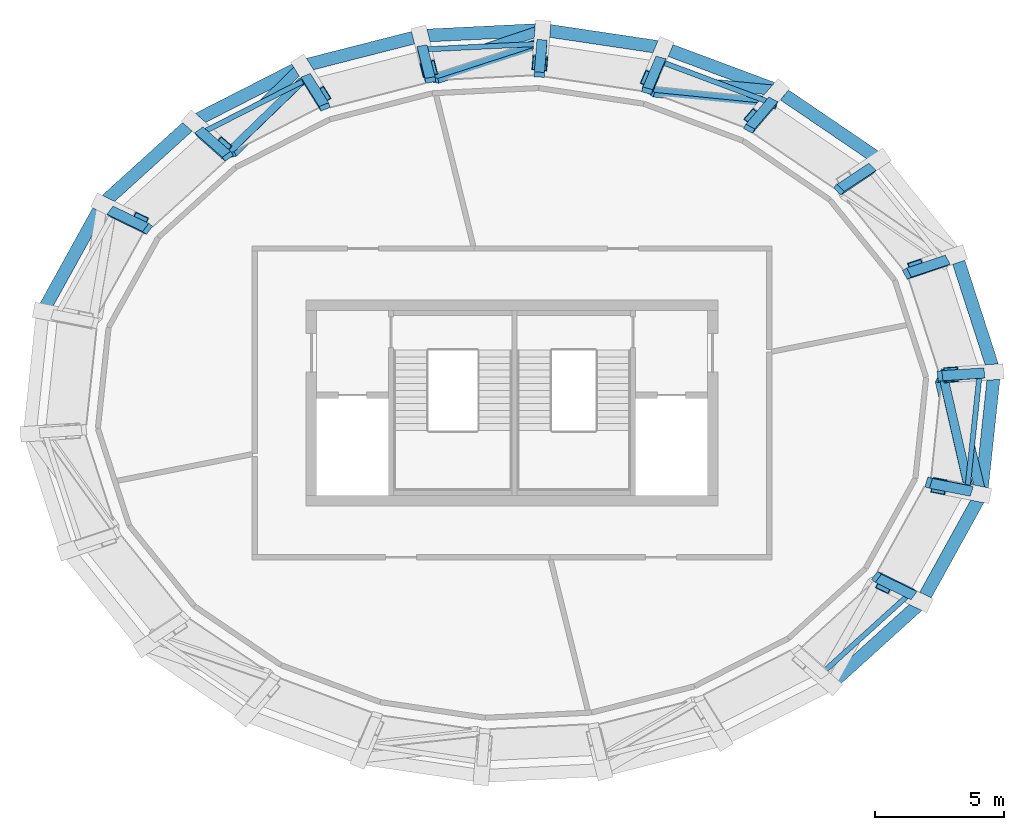
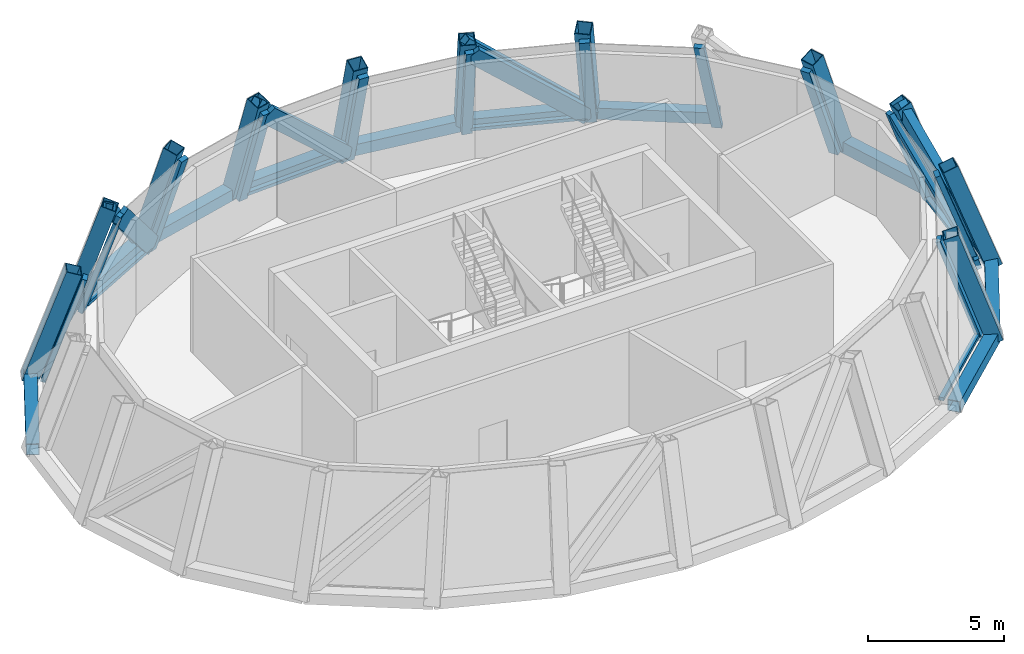
# One storey, part 2 of 6: 36 members, 12 beams, 1 element without a shape of its own.
"""IFC4 building model written with IfcOpenShell, lengths in metres."""

from ifc_helpers import new_model, si_unit, direction, frame, origin, origin_2d, place, context, subcontext, project, spatial, rectangle, hollow_rectangle, extrude, source, transform, mapped, material, material_profile, profile_set, type_object, element, aggregate, save


model = new_model("IFC4")

# Units and contexts
model_context = context("Model", 3, precision=1e-05, world=origin(), true_north=direction((0.0, 1.0)))
body_context = subcontext(model_context, "Body", "Model", "MODEL_VIEW")
ifc_project = project(units=[si_unit("LENGTHUNIT", "METRE"), si_unit("AREAUNIT", "SQUARE_METRE"), si_unit("VOLUMEUNIT", "CUBIC_METRE"), si_unit("PLANEANGLEUNIT", "RADIAN"), si_unit("MASSUNIT", "GRAM", prefix="KILO")], contexts=[model_context])

# Site, building, storey
site_placement = place(None, origin())
site = spatial("IfcSite", under=ifc_project, at=site_placement, CompositionType="ELEMENT")
building_placement = place(site_placement, origin())
building = spatial("IfcBuilding", under=site, at=building_placement, Name="Embergate Tower", CompositionType="ELEMENT")
storey_placement = place(building_placement, frame((0.0, 0.0, 356.5)))
storey = spatial("IfcBuildingStorey", under=building, at=storey_placement, Name="L81", CompositionType="ELEMENT", Elevation=356.5)

# Beams
ifc_material_1 = material(Name="Steel Q355D", Category="steel")
ifc_material_profile_1 = material_profile(ifc_material_1, hollow_rectangle(XDim=0.5, YDim=0.5, WallThickness=0.02490234375, at=origin_2d()), Name="BOX 500x500x25")
ifc_profile_set_1 = profile_set([ifc_material_profile_1], Name="Steel Q355 grade D")
beam_type = type_object("IfcBeamType", Name="Glass point ring beam BOX 500x500x25", PredefinedType="BEAM", material=ifc_profile_set_1)
shared_shape_1 = source(origin(), body_context, "Body", "SweptSolid", [
    extrude(hollow_rectangle(XDim=0.5, YDim=0.5, WallThickness=0.02490234375, at=origin_2d()), origin(), (0.0, 0.0, 1.0), 4.781982421875),
])
beam_1_placement = place(storey_placement, frame((18.75, 1.202880859375, 0.0), z_axis=(-0.307606861836, 0.951513540919, 0.0), x_axis=(-0.951513540919, -0.307606861836, 0.0)))
element("IfcBeam", 1, at=beam_1_placement, inside=storey, type_object=beam_type, Name="CRN-L81-RB00", PredefinedType="BEAM", context=body_context, shape_type="MappedRepresentation", body=[
    mapped(shared_shape_1, transform((0.0, 0.0, 0.0))),
])
shared_shape_2 = source(origin(), body_context, "Body", "SweptSolid", [
    extrude(hollow_rectangle(XDim=0.5, YDim=0.5, WallThickness=0.02490234375, at=origin_2d()), origin(), (0.0, 0.0, 1.0), 4.76171875),
])
beam_2_placement = place(storey_placement, frame((14.281005859375, 9.467041015625, 0.0), z_axis=(-0.827007551641, 0.562190812383, 0.0), x_axis=(-0.562190812383, -0.827007551641, 0.0)))
element("IfcBeam", 2, at=beam_2_placement, inside=storey, type_object=beam_type, Name="CRN-L81-RB02", PredefinedType="BEAM", context=body_context, shape_type="MappedRepresentation", body=[
    mapped(shared_shape_2, transform((0.0, 0.0, 0.0))),
])
shared_shape_3 = source(origin(), body_context, "Body", "SweptSolid", [
    extrude(hollow_rectangle(XDim=0.5, YDim=0.5, WallThickness=0.02490234375, at=origin_2d()), origin(), (0.0, 0.0, 1.0), 4.75537109375),
])
beam_3_placement = place(storey_placement, frame((10.343017578125, 12.14404296875, 0.0), z_axis=(-0.936868203805, 0.349682668573, 0.0), x_axis=(-0.349682668573, -0.936868203805, 0.0)))
element("IfcBeam", 3, at=beam_3_placement, inside=storey, type_object=beam_type, Name="CRN-L81-RB03", PredefinedType="BEAM", context=body_context, shape_type="MappedRepresentation", body=[
    mapped(shared_shape_3, transform((0.0, 0.0, 0.0))),
])
shared_shape_4 = source(origin(), body_context, "Body", "SweptSolid", [
    extrude(hollow_rectangle(XDim=0.5, YDim=0.5, WallThickness=0.02490234375, at=origin_2d()), origin(), (0.0, 0.0, 1.0), 4.7509765625),
])
beam_4_placement = place(storey_placement, frame((5.887939453125, 13.806884765625, 0.0), z_axis=(-0.989079501535, 0.147382969315, 0.0), x_axis=(-0.147382969315, -0.989079501535, 0.0)))
element("IfcBeam", 4, at=beam_4_placement, inside=storey, type_object=beam_type, Name="CRN-L81-RB04", PredefinedType="BEAM", context=body_context, shape_type="MappedRepresentation", body=[
    mapped(shared_shape_4, transform((0.0, 0.0, 0.0))),
])
shared_shape_5 = source(origin(), body_context, "Body", "SweptSolid", [
    extrude(hollow_rectangle(XDim=0.5, YDim=0.5, WallThickness=0.02490234375, at=origin_2d()), origin(), (0.0, 0.0, 1.0), 4.74951171875),
])
beam_5_placement = place(storey_placement, frame((1.18896484375, 14.507080078125, 0.0), z_axis=(-0.998794407554, -0.04908901545, 0.0), x_axis=(0.04908901545, -0.998794407554, 0.0)))
element("IfcBeam", 5, at=beam_5_placement, inside=storey, type_object=beam_type, Name="CRN-L81-RB05", PredefinedType="BEAM", context=body_context, shape_type="MappedRepresentation", body=[
    mapped(shared_shape_5, transform((0.0, 0.0, 0.0))),
])
shared_shape_6 = source(origin(), body_context, "Body", "SweptSolid", [
    extrude(hollow_rectangle(XDim=0.5, YDim=0.5, WallThickness=0.02490234375, at=origin_2d()), origin(), (0.0, 0.0, 1.0), 4.75244140625),
])
beam_6_placement = place(storey_placement, frame((-3.554931640625, 14.27392578125, 0.0), z_axis=(-0.968964850665, -0.247198539996, 0.0), x_axis=(0.247198539996, -0.968964850665, 0.0)))
element("IfcBeam", 6, at=beam_6_placement, inside=storey, type_object=beam_type, Name="CRN-L81-RB06", PredefinedType="BEAM", context=body_context, shape_type="MappedRepresentation", body=[
    mapped(shared_shape_6, transform((0.0, 0.0, 0.0))),
])
shared_shape_7 = source(origin(), body_context, "Body", "SweptSolid", [
    extrude(hollow_rectangle(XDim=0.5, YDim=0.5, WallThickness=0.02490234375, at=origin_2d()), origin(), (0.0, 0.0, 1.0), 4.758056640625),
])
beam_7_placement = place(storey_placement, frame((-8.159912109375, 13.09912109375, 0.0), z_axis=(-0.890691913972, -0.454607428872, 0.0), x_axis=(0.454607428872, -0.890691913972, 0.0)))
element("IfcBeam", 7, at=beam_7_placement, inside=storey, type_object=beam_type, Name="CRN-L81-RB07", PredefinedType="BEAM", context=body_context, shape_type="MappedRepresentation", body=[
    mapped(shared_shape_7, transform((0.0, 0.0, 0.0))),
])
shared_shape_8 = source(origin(), body_context, "Body", "SweptSolid", [
    extrude(hollow_rectangle(XDim=0.5, YDim=0.5, WallThickness=0.02490234375, at=origin_2d()), origin(), (0.0, 0.0, 1.0), 4.76806640625),
])
for number, where, z_axis, x_axis, name in (
    (8, (-12.39794921875, 10.93603515625, 0.0), (-0.741164475279, -0.671323484309, 0.0), (0.671323484309, -0.741164475279, 0.0), "CRN-L81-RB08"),
    (9, (12.39794921875, -10.93603515625, 0.0), (0.741164475279, 0.671323484309, 0.0), (-0.671323484309, 0.741164475279, 0.0), "CRN-L81-RB19"),
):
    element("IfcBeam", number, at=place(storey_placement, frame(where, z_axis=z_axis, x_axis=x_axis)), inside=storey, type_object=beam_type, Name=name, PredefinedType="BEAM", context=body_context, shape_type="MappedRepresentation", body=[
        mapped(shared_shape_8, transform((0.0, 0.0, 0.0))),
    ])
shared_shape_9 = source(origin(), body_context, "Body", "SweptSolid", [
    extrude(hollow_rectangle(XDim=0.5, YDim=0.5, WallThickness=0.02490234375, at=origin_2d()), origin(), (0.0, 0.0, 1.0), 4.77783203125),
])
for number, where, z_axis, x_axis, name in (
    (10, (-15.931884765625, 7.735107421875, 0.0), (-0.483906539965, -0.875119683574, 0.0), (0.875119683574, -0.483906539965, 0.0), "CRN-L81-RB09"),
    (11, (15.931884765625, -7.735107421875, 0.0), (0.483906539965, 0.875119683574, 0.0), (-0.875119683574, 0.483906539965, 0.0), "CRN-L81-RB20"),
):
    element("IfcBeam", number, at=place(storey_placement, frame(where, z_axis=z_axis, x_axis=x_axis)), inside=storey, type_object=beam_type, Name=name, PredefinedType="BEAM", context=body_context, shape_type="MappedRepresentation", body=[
        mapped(shared_shape_9, transform((0.0, 0.0, 0.0))),
    ])
shared_shape_10 = source(origin(), body_context, "Body", "SweptSolid", [
    extrude(hollow_rectangle(XDim=0.5, YDim=0.5, WallThickness=0.02490234375, at=origin_2d()), origin(), (0.0, 0.0, 1.0), 4.78369140625),
])
beam_8_placement = place(storey_placement, frame((18.243896484375, -3.553955078125, 0.0), z_axis=(0.10579786554, 0.994387656625, 0.0), x_axis=(-0.994387656625, 0.10579786554, 0.0)))
element("IfcBeam", 12, at=beam_8_placement, inside=storey, type_object=beam_type, Name="CRN-L81-RB21", PredefinedType="BEAM", context=body_context, shape_type="MappedRepresentation", body=[
    mapped(shared_shape_10, transform((0.0, 0.0, 0.0))),
])

# Members
ifc_material_profile_2 = material_profile(ifc_material_1, hollow_rectangle(XDim=0.60009765625, YDim=0.60009765625, WallThickness=0.028076171875, at=origin_2d()), Name="BOX 600x600x28")
ifc_profile_set_2 = profile_set([ifc_material_profile_2], Name="Steel Q355 grade D")
member_type_1 = type_object("IfcMemberType", Name="Glass point hip BOX 600x600x28", PredefinedType="MEMBER", material=ifc_profile_set_2)
shared_shape_11 = source(origin(), body_context, "Body", "SweptSolid", [
    extrude(hollow_rectangle(XDim=0.60009765625, YDim=0.60009765625, WallThickness=0.028076171875, at=origin_2d()), origin(), (0.0, 0.0, 1.0), 5.087646484375),
])
member_1_placement = place(storey_placement, frame((18.801025390625, 1.2060546875, -0.14111328125), z_axis=(-0.340605686199, -0.021833697833, 0.93995268826), x_axis=(0.063971265443, -0.997951740916, 0.0)))
element("IfcMember", 13, at=member_1_placement, inside=storey, type_object=member_type_1, Name="CRN-L81-HP00", PredefinedType="MEMBER", context=body_context, shape_type="MappedRepresentation", body=[
    mapped(shared_shape_11, transform((0.0, 0.0, 0.0))),
])
shared_shape_12 = source(origin(), body_context, "Body", "SweptSolid", [
    extrude(hollow_rectangle(XDim=0.60009765625, YDim=0.60009765625, WallThickness=0.028076171875, at=origin_2d()), origin(), (0.0, 0.0, 1.0), 5.069580078125),
])
member_2_placement = place(storey_placement, frame((17.325927734375, 5.76904296875, -0.14111328125), z_axis=(-0.314814073934, -0.104938024645, 0.943334569406), x_axis=(0.316227766017, -0.948683298051, 0.0)))
element("IfcMember", 14, at=member_2_placement, inside=storey, type_object=member_type_1, Name="CRN-L81-HP01", PredefinedType="MEMBER", context=body_context, shape_type="MappedRepresentation", body=[
    mapped(shared_shape_12, transform((0.0, 0.0, 0.0))),
])
shared_shape_13 = source(origin(), body_context, "Body", "SweptSolid", [
    extrude(hollow_rectangle(XDim=0.60009765625, YDim=0.60009765625, WallThickness=0.028076171875, at=origin_2d()), origin(), (0.0, 0.0, 1.0), 5.0087890625),
])
member_3_placement = place(storey_placement, frame((10.3720703125, 12.177978515625, -0.14306640625), z_axis=(-0.191264183313, -0.22440884301, 0.955541042217), x_axis=(0.761073955303, -0.648665117422, 0.0)))
element("IfcMember", 15, at=member_3_placement, inside=storey, type_object=member_type_1, Name="CRN-L81-HP03", PredefinedType="MEMBER", context=body_context, shape_type="MappedRepresentation", body=[
    mapped(shared_shape_13, transform((0.0, 0.0, 0.0))),
])
ifc_material_profile_3 = material_profile(ifc_material_1, hollow_rectangle(XDim=0.39990234375, YDim=0.39990234375, WallThickness=0.02197265625, at=origin_2d()), Name="BOX 400x400x22")
ifc_profile_set_3 = profile_set([ifc_material_profile_3], Name="Steel Q355 grade D")
member_type_2 = type_object("IfcMemberType", Name="Glass point brace BOX 400x400x22", PredefinedType="BRACE", material=ifc_profile_set_3)
shared_shape_14 = source(origin(), body_context, "Body", "SweptSolid", [
    extrude(hollow_rectangle(XDim=0.39990234375, YDim=0.39990234375, WallThickness=0.02197265625, at=origin_2d()), origin(), (0.0, 0.0, 1.0), 7.01806640625),
])
member_4_placement = place(storey_placement, frame((10.4541015625, 12.134033203125, -0.10009765625), z_axis=(-0.739416756663, 0.068671309229, 0.669736598414), x_axis=(-0.092474314221, -0.995715070293, 0.0)))
element("IfcMember", 16, at=member_4_placement, inside=storey, type_object=member_type_2, Name="CRN-L81-DG03", PredefinedType="BRACE", context=body_context, shape_type="MappedRepresentation", body=[
    mapped(shared_shape_14, transform((0.0, 0.0, 0.0))),
])
shared_shape_15 = source(origin(), body_context, "Body", "SweptSolid", [
    extrude(hollow_rectangle(XDim=0.60009765625, YDim=0.60009765625, WallThickness=0.028076171875, at=origin_2d()), origin(), (0.0, 0.0, 1.0), 4.985107421875),
])
member_5_placement = place(storey_placement, frame((5.904052734375, 13.844970703125, -0.14404296875), z_axis=(-0.109112507641, -0.256130347829, 0.960464317711), x_axis=(0.919998139724, -0.39192272568, 0.0)))
element("IfcMember", 17, at=member_5_placement, inside=storey, type_object=member_type_1, Name="CRN-L81-HP04", PredefinedType="MEMBER", context=body_context, shape_type="MappedRepresentation", body=[
    mapped(shared_shape_15, transform((0.0, 0.0, 0.0))),
])
shared_shape_16 = source(origin(), body_context, "Body", "SweptSolid", [
    extrude(hollow_rectangle(XDim=0.60009765625, YDim=0.60009765625, WallThickness=0.028076171875, at=origin_2d()), origin(), (0.0, 0.0, 1.0), 4.9736328125),
])
member_6_placement = place(storey_placement, frame((1.19189453125, 14.547119140625, -0.14404296875), z_axis=(-0.022089469058, -0.269638785634, 0.962708149253), x_axis=(0.996661152963, -0.081648920232, 0.0)))
element("IfcMember", 18, at=member_6_placement, inside=storey, type_object=member_type_1, Name="CRN-L81-HP05", PredefinedType="MEMBER", context=body_context, shape_type="MappedRepresentation", body=[
    mapped(shared_shape_16, transform((0.0, 0.0, 0.0))),
])
shared_shape_17 = source(origin(), body_context, "Body", "SweptSolid", [
    extrude(hollow_rectangle(XDim=0.39990234375, YDim=0.39990234375, WallThickness=0.02197265625, at=origin_2d()), origin(), (0.0, 0.0, 1.0), 6.788330078125),
])
member_7_placement = place(storey_placement, frame((1.2919921875, 14.541015625, -0.10400390625), z_axis=(-0.683678228304, -0.227149483954, 0.69353240161), x_axis=(0.315299089683, -0.948992351942, 0.0)))
element("IfcMember", 19, at=member_7_placement, inside=storey, type_object=member_type_2, Name="CRN-L81-DG05", PredefinedType="BRACE", context=body_context, shape_type="MappedRepresentation", body=[
    mapped(shared_shape_17, transform((0.0, 0.0, 0.0))),
])
shared_shape_18 = source(origin(), body_context, "Body", "SweptSolid", [
    extrude(hollow_rectangle(XDim=0.60009765625, YDim=0.60009765625, WallThickness=0.028076171875, at=origin_2d()), origin(), (0.0, 0.0, 1.0), 4.977783203125),
])
member_8_placement = place(storey_placement, frame((-3.56494140625, 14.31396484375, -0.14404296875), z_axis=(0.066064037626, -0.265384192721, 0.961876693338), x_axis=(0.970384645141, 0.24156498189, 0.0)))
element("IfcMember", 20, at=member_8_placement, inside=storey, type_object=member_type_1, Name="CRN-L81-HP06", PredefinedType="MEMBER", context=body_context, shape_type="MappedRepresentation", body=[
    mapped(shared_shape_18, transform((0.0, 0.0, 0.0))),
])
shared_shape_19 = source(origin(), body_context, "Body", "SweptSolid", [
    extrude(hollow_rectangle(XDim=0.60009765625, YDim=0.60009765625, WallThickness=0.028076171875, at=origin_2d()), origin(), (0.0, 0.0, 1.0), 4.996337890625),
])
member_9_placement = place(storey_placement, frame((-8.18310546875, 13.135009765625, -0.14404296875), z_axis=(0.151139231397, -0.242370057462, 0.958339025595), x_axis=(0.848536082829, 0.529137521006, 0.0)))
element("IfcMember", 21, at=member_9_placement, inside=storey, type_object=member_type_1, Name="CRN-L81-HP07", PredefinedType="MEMBER", context=body_context, shape_type="MappedRepresentation", body=[
    mapped(shared_shape_19, transform((0.0, 0.0, 0.0))),
])
shared_shape_20 = source(origin(), body_context, "Body", "SweptSolid", [
    extrude(hollow_rectangle(XDim=0.39990234375, YDim=0.39990234375, WallThickness=0.02197265625, at=origin_2d()), origin(), (0.0, 0.0, 1.0), 6.61962890625),
])
member_10_placement = place(storey_placement, frame((-8.0849609375, 13.173095703125, -0.10693359375), z_axis=(-0.500039508137, -0.492810732242, 0.712108188753), x_axis=(0.701939850589, -0.712236229179, 0.0)))
element("IfcMember", 22, at=member_10_placement, inside=storey, type_object=member_type_2, Name="CRN-L81-DG07", PredefinedType="BRACE", context=body_context, shape_type="MappedRepresentation", body=[
    mapped(shared_shape_20, transform((0.0, 0.0, 0.0))),
])
shared_shape_21 = source(origin(), body_context, "Body", "SweptSolid", [
    extrude(hollow_rectangle(XDim=0.60009765625, YDim=0.60009765625, WallThickness=0.028076171875, at=origin_2d()), origin(), (0.0, 0.0, 1.0), 5.024169921875),
])
member_11_placement = place(storey_placement, frame((-12.431884765625, 10.966064453125, -0.14306640625), z_axis=(0.228095770655, -0.201223814717, 0.952618126953), x_axis=(0.661552945099, 0.749898460347, 0.0)))
element("IfcMember", 23, at=member_11_placement, inside=storey, type_object=member_type_1, Name="CRN-L81-HP08", PredefinedType="MEMBER", context=body_context, shape_type="MappedRepresentation", body=[
    mapped(shared_shape_21, transform((0.0, 0.0, 0.0))),
])
shared_shape_22 = source(origin(), body_context, "Body", "SweptSolid", [
    extrude(hollow_rectangle(XDim=0.60009765625, YDim=0.60009765625, WallThickness=0.028076171875, at=origin_2d()), origin(), (0.0, 0.0, 1.0), 5.056884765625),
])
for number, where, z_axis, x_axis, name in (
    (24, (-15.97607421875, 7.756103515625, -0.14208984375), (0.291511854143, -0.141217650442, 0.946085838652), (0.435969952527, 0.899961221661, 0.0), "CRN-L81-HP09"),
    (25, (15.97607421875, -7.756103515625, -0.14208984375), (-0.291511854143, 0.141217650442, 0.946085838652), (-0.435969952527, -0.899961221661, 0.0), "CRN-L81-HP20"),
):
    element("IfcMember", number, at=place(storey_placement, frame(where, z_axis=z_axis, x_axis=x_axis)), inside=storey, type_object=member_type_1, Name=name, PredefinedType="MEMBER", context=body_context, shape_type="MappedRepresentation", body=[
        mapped(shared_shape_22, transform((0.0, 0.0, 0.0))),
    ])
shared_shape_23 = source(origin(), body_context, "Body", "SweptSolid", [
    extrude(hollow_rectangle(XDim=0.60009765625, YDim=0.60009765625, WallThickness=0.028076171875, at=origin_2d()), origin(), (0.0, 0.0, 1.0), 5.081787109375),
])
member_12_placement = place(storey_placement, frame((18.2939453125, -3.56396484375, -0.14111328125), z_axis=(-0.331976722118, 0.06471384149, 0.941065127763), x_axis=(-0.191333472675, -0.981525089967, 0.0)))
element("IfcMember", 26, at=member_12_placement, inside=storey, type_object=member_type_1, Name="CRN-L81-HP21", PredefinedType="MEMBER", context=body_context, shape_type="MappedRepresentation", body=[
    mapped(shared_shape_23, transform((0.0, 0.0, 0.0))),
])
shared_shape_24 = source(origin(), body_context, "Body", "SweptSolid", [
    extrude(hollow_rectangle(XDim=0.39990234375, YDim=0.39990234375, WallThickness=0.02197265625, at=origin_2d()), origin(), (0.0, 0.0, 1.0), 6.86962890625),
])
member_13_placement = place(storey_placement, frame((18.27001953125, -3.659912109375, -0.10302734375), z_axis=(-0.171335750874, 0.70805272032, 0.685058687792), x_axis=(-0.971948522104, -0.235193686948, 0.0)))
element("IfcMember", 27, at=member_13_placement, inside=storey, type_object=member_type_2, Name="CRN-L81-DG21", PredefinedType="BRACE", context=body_context, shape_type="MappedRepresentation", body=[
    mapped(shared_shape_24, transform((0.0, 0.0, 0.0))),
])

# Curtain wall, members
ifc_material_2 = material(Name="Aluminium and glass", Category="aluminium")
curtain_wall_type = type_object("IfcCurtainWallType", Name="Crown facet glazing", PredefinedType="NOTDEFINED", material=ifc_material_2)
curtain_wall_placement = place(storey_placement, origin())
curtain_wall = element("IfcCurtainWall", 28, at=curtain_wall_placement, inside=storey, type_object=curtain_wall_type, Name="Crown facet glazing L81", ObjectType="CROWN FACET GLAZING", PredefinedType="USERDEFINED")
ifc_material_3 = material(Name="Aluminium, thermally broken", Category="aluminium")
ifc_material_profile_4 = material_profile(ifc_material_3, rectangle(XDim=0.199951171875, YDim=0.39990234375, at=origin_2d()), Name="AL 400x200")
ifc_profile_set_4 = profile_set([ifc_material_profile_4], Name="Aluminium, thermally broken")
member_type_3 = type_object("IfcMemberType", Name="Crown hip mullion", PredefinedType="MULLION", material=ifc_profile_set_4)
shared_shape_25 = source(origin(), body_context, "Body", "SweptSolid", [
    extrude(rectangle(XDim=0.199951171875, YDim=0.39990234375, at=origin_2d()), origin(), (0.0, 0.0, 1.0), 4.78759765625),
])
member_14_placement = place(storey_placement, frame((18.273193359375, 1.153564453125, -0.173828125), z_axis=(-0.340645264756, -0.021927764049, 0.939936155685), x_axis=(0.93498524233, 0.097166141544, 0.341117776673)))
member_14 = element("IfcMember", 29, at=member_14_placement, type_object=member_type_3, Name="CW hip 1", PredefinedType="MULLION", context=body_context, shape_type="MappedRepresentation", body=[
    mapped(shared_shape_25, transform((0.0, 0.0, 0.0))),
])
shared_shape_26 = source(origin(), body_context, "Body", "SweptSolid", [
    extrude(rectangle(XDim=0.199951171875, YDim=0.39990234375, at=origin_2d()), origin(), (0.0, 0.0, 1.0), 4.7705078125),
])
member_15_placement = place(storey_placement, frame((16.857421875, 5.5244140625, -0.166259765625), z_axis=(-0.314900471861, -0.104813288863, 0.943319599764), x_axis=(0.830809349074, 0.450105836545, 0.327353877935)))
member_15 = element("IfcMember", 30, at=member_15_placement, type_object=member_type_3, Name="CW hip 2", PredefinedType="MULLION", context=body_context, shape_type="MappedRepresentation", body=[
    mapped(shared_shape_26, transform((0.0, 0.0, 0.0))),
])
shared_shape_27 = source(origin(), body_context, "Body", "SweptSolid", [
    extrude(rectangle(XDim=0.199951171875, YDim=0.39990234375, at=origin_2d()), origin(), (0.0, 0.0, 1.0), 4.740478515625),
])
member_16_placement = place(storey_placement, frame((13.95556640625, 9.11328125, -0.154541015625), z_axis=(-0.262039426344, -0.173817426083, 0.949274902982), x_axis=(0.644656782956, 0.700465776674, 0.306211247176)))
member_16 = element("IfcMember", 31, at=member_16_placement, type_object=member_type_3, Name="CW hip 3", PredefinedType="MULLION", context=body_context, shape_type="MappedRepresentation", body=[
    mapped(shared_shape_27, transform((0.0, 0.0, 0.0))),
])
shared_shape_28 = source(origin(), body_context, "Body", "SweptSolid", [
    extrude(rectangle(XDim=0.199951171875, YDim=0.39990234375, at=origin_2d()), origin(), (0.0, 0.0, 1.0), 4.708984375),
])
member_17_placement = place(storey_placement, frame((10.12158203125, 11.7158203125, -0.144775390625), z_axis=(-0.191100052867, -0.224280745714, 0.955603953998), x_axis=(0.439505489419, 0.850949743295, 0.287609907959)))
member_17 = element("IfcMember", 32, at=member_17_placement, type_object=member_type_3, Name="CW hip 4", PredefinedType="MULLION", context=body_context, shape_type="MappedRepresentation", body=[
    mapped(shared_shape_28, transform((0.0, 0.0, 0.0))),
])
ifc_material_profile_5 = material_profile(ifc_material_3, rectangle(XDim=0.199951171875, YDim=0.139892578125, at=origin_2d()), Name="AL 140x200")
ifc_profile_set_5 = profile_set([ifc_material_profile_5], Name="Aluminium, thermally broken")
member_type_4 = type_object("IfcMemberType", Name="Crown facet transom", PredefinedType="USERDEFINED", material=ifc_profile_set_5)
shared_shape_29 = source(origin(), body_context, "Body", "SweptSolid", [
    extrude(rectangle(XDim=0.199951171875, YDim=0.139892578125, at=origin_2d()), origin(), (0.0, 0.0, 1.0), 4.3359375),
])
member_18_placement = place(storey_placement, frame((9.94580078125, 11.71484375, 0.070068359375), z_axis=(-0.936857994898, 0.34971001901, 0.0), x_axis=(-0.34971001901, -0.936857994898, 0.0)))
member_18 = element("IfcMember", 33, at=member_18_placement, type_object=member_type_4, Name="CW transom 4.1", ObjectType="TRANSOM", PredefinedType="USERDEFINED", context=body_context, shape_type="MappedRepresentation", body=[
    mapped(shared_shape_29, transform((0.0, 0.0, 0.0))),
])
ifc_material_profile_6 = material_profile(ifc_material_3, rectangle(XDim=0.199951171875, YDim=0.760009765625, at=origin_2d()), Name="AL 760x200")
ifc_profile_set_6 = profile_set([ifc_material_profile_6], Name="Aluminium, thermally broken")
member_type_5 = type_object("IfcMemberType", Name="Crown diagonal cover mullion", PredefinedType="MULLION", material=ifc_profile_set_6)
shared_shape_30 = source(origin(), body_context, "Body", "SweptSolid", [
    extrude(rectangle(XDim=0.199951171875, YDim=0.760009765625, at=origin_2d()), origin(), (0.0, 0.0, 1.0), 6.367431640625),
])
member_19_placement = place(storey_placement, frame((10.0576171875, 11.67041015625, 0.0791015625), z_axis=(-0.747529969758, 0.074883362276, 0.659993504793), x_axis=(0.335900141549, 0.899827134778, 0.278356286842)))
member_19 = element("IfcMember", 34, at=member_19_placement, type_object=member_type_5, Name="CW diagonal mullion 4", PredefinedType="MULLION", context=body_context, shape_type="MappedRepresentation", body=[
    mapped(shared_shape_30, transform((0.0, 0.0, 0.0))),
])
shared_shape_31 = source(origin(), body_context, "Body", "SweptSolid", [
    extrude(rectangle(XDim=0.199951171875, YDim=0.39990234375, at=origin_2d()), origin(), (0.0, 0.0, 1.0), 4.685546875),
])
member_20_placement = place(storey_placement, frame((5.767333984375, 13.339111328125, -0.138671875), z_axis=(-0.109264316829, -0.256304804236, 0.960400518739), x_axis=(0.240091350334, 0.930773024781, 0.275713111466)))
member_20 = element("IfcMember", 35, at=member_20_placement, type_object=member_type_3, Name="CW hip 5", PredefinedType="MULLION", context=body_context, shape_type="MappedRepresentation", body=[
    mapped(shared_shape_31, transform((0.0, 0.0, 0.0))),
])
shared_shape_32 = source(origin(), body_context, "Body", "SweptSolid", [
    extrude(rectangle(XDim=0.199951171875, YDim=0.39990234375, at=origin_2d()), origin(), (0.0, 0.0, 1.0), 4.674560546875),
])
member_21_placement = place(storey_placement, frame((1.1650390625, 14.024169921875, -0.135986328125), z_axis=(-0.022249228347, -0.269758836647, 0.962670837768), x_axis=(0.047520507897, 0.961535471325, 0.270538978177)))
member_21 = element("IfcMember", 36, at=member_21_placement, type_object=member_type_3, Name="CW hip 6", PredefinedType="MULLION", context=body_context, shape_type="MappedRepresentation", body=[
    mapped(shared_shape_32, transform((0.0, 0.0, 0.0))),
])
shared_shape_33 = source(origin(), body_context, "Body", "SweptSolid", [
    extrude(rectangle(XDim=0.199951171875, YDim=0.139892578125, at=origin_2d()), origin(), (0.0, 0.0, 1.0), 4.330810546875),
])
member_22_placement = place(storey_placement, frame((1.008056640625, 13.958984375, 0.070068359375), z_axis=(-0.998793879638, -0.049099755569, 0.0), x_axis=(0.049099755569, -0.998793879638, 0.0)))
member_22 = element("IfcMember", 37, at=member_22_placement, type_object=member_type_4, Name="CW transom 6.1", ObjectType="TRANSOM", PredefinedType="USERDEFINED", context=body_context, shape_type="MappedRepresentation", body=[
    mapped(shared_shape_33, transform((0.0, 0.0, 0.0))),
])
shared_shape_34 = source(origin(), body_context, "Body", "SweptSolid", [
    extrude(rectangle(XDim=0.199951171875, YDim=0.760009765625, at=origin_2d()), origin(), (0.0, 0.0, 1.0), 6.144775390625),
])
member_23_placement = place(storey_placement, frame((1.126220703125, 13.961181640625, 0.08203125), z_axis=(-0.694147768483, -0.224959342061, 0.683777865926), x_axis=(-0.047266645717, 0.962106871242, 0.268544656459)))
member_23 = element("IfcMember", 38, at=member_23_placement, type_object=member_type_5, Name="CW diagonal mullion 6", PredefinedType="MULLION", context=body_context, shape_type="MappedRepresentation", body=[
    mapped(shared_shape_34, transform((0.0, 0.0, 0.0))),
])
shared_shape_35 = source(origin(), body_context, "Body", "SweptSolid", [
    extrude(rectangle(XDim=0.199951171875, YDim=0.39990234375, at=origin_2d()), origin(), (0.0, 0.0, 1.0), 4.67822265625),
])
member_24_placement = place(storey_placement, frame((-3.483154296875, 13.7958984375, -0.13671875), z_axis=(0.066068617718, -0.265266022007, 0.961908974551), x_axis=(-0.143268519749, 0.951504620227, 0.272237192416)))
member_24 = element("IfcMember", 39, at=member_24_placement, type_object=member_type_3, Name="CW hip 7", PredefinedType="MULLION", context=body_context, shape_type="MappedRepresentation", body=[
    mapped(shared_shape_35, transform((0.0, 0.0, 0.0))),
])
shared_shape_36 = source(origin(), body_context, "Body", "SweptSolid", [
    extrude(rectangle(XDim=0.199951171875, YDim=0.39990234375, at=origin_2d()), origin(), (0.0, 0.0, 1.0), 4.69580078125),
])
member_25_placement = place(storey_placement, frame((-7.98974609375, 12.6474609375, -0.14111328125), z_axis=(0.150983320563, -0.242592346332, 0.958307356965), x_axis=(-0.338654666555, 0.898065484315, 0.280698063232)))
member_25 = element("IfcMember", 40, at=member_25_placement, type_object=member_type_3, Name="CW hip 8", PredefinedType="MULLION", context=body_context, shape_type="MappedRepresentation", body=[
    mapped(shared_shape_36, transform((0.0, 0.0, 0.0))),
])
shared_shape_37 = source(origin(), body_context, "Body", "SweptSolid", [
    extrude(rectangle(XDim=0.199951171875, YDim=0.139892578125, at=origin_2d()), origin(), (0.0, 0.0, 1.0), 4.33837890625),
])
member_26_placement = place(storey_placement, frame((-8.0869140625, 12.52734375, 0.070068359375), z_axis=(-0.89070514243, -0.454581510017, 0.0), x_axis=(0.454581510017, -0.89070514243, 0.0)))
member_26 = element("IfcMember", 41, at=member_26_placement, type_object=member_type_4, Name="CW transom 8.1", ObjectType="TRANSOM", PredefinedType="USERDEFINED", context=body_context, shape_type="MappedRepresentation", body=[
    mapped(shared_shape_37, transform((0.0, 0.0, 0.0))),
])
shared_shape_38 = source(origin(), body_context, "Body", "SweptSolid", [
    extrude(rectangle(XDim=0.199951171875, YDim=0.760009765625, at=origin_2d()), origin(), (0.0, 0.0, 1.0), 5.97216796875),
])
member_27_placement = place(storey_placement, frame((-7.981201171875, 12.57666015625, 0.084228515625), z_axis=(-0.512269724238, -0.495508844265, 0.701463266953), x_axis=(-0.435846763136, 0.853770528953, 0.284804288862)))
member_27 = element("IfcMember", 42, at=member_27_placement, type_object=member_type_5, Name="CW diagonal mullion 8", PredefinedType="MULLION", context=body_context, shape_type="MappedRepresentation", body=[
    mapped(shared_shape_38, transform((0.0, 0.0, 0.0))),
])
shared_shape_39 = source(origin(), body_context, "Body", "SweptSolid", [
    extrude(rectangle(XDim=0.199951171875, YDim=0.39990234375, at=origin_2d()), origin(), (0.0, 0.0, 1.0), 4.72412109375),
])
member_28_placement = place(storey_placement, frame((-12.124755859375, 10.53955078125, -0.149169921875), z_axis=(0.228220648978, -0.201295160274, 0.952573143559), x_axis=(-0.542215302449, 0.786347517677, 0.296074563638)))
member_28 = element("IfcMember", 43, at=member_28_placement, type_object=member_type_3, Name="CW hip 9", PredefinedType="MULLION", context=body_context, shape_type="MappedRepresentation", body=[
    mapped(shared_shape_39, transform((0.0, 0.0, 0.0))),
])
shared_shape_40 = source(origin(), body_context, "Body", "SweptSolid", [
    extrude(rectangle(XDim=0.199951171875, YDim=0.39990234375, at=origin_2d()), origin(), (0.0, 0.0, 1.0), 4.75634765625),
])
member_29_placement = place(storey_placement, frame((-15.555908203125, 7.4365234375, -0.160400390625), z_axis=(0.291400207128, -0.141260061655, 0.946113901318), x_axis=(-0.743136381852, 0.589353044723, 0.316877431578)))
member_29 = element("IfcMember", 44, at=member_29_placement, type_object=member_type_3, Name="CW hip 10", PredefinedType="MULLION", context=body_context, shape_type="MappedRepresentation", body=[
    mapped(shared_shape_40, transform((0.0, 0.0, 0.0))),
])
member_30_placement = place(storey_placement, frame((15.555908203125, -7.4365234375, -0.160400390625), z_axis=(-0.291400207128, 0.141260061655, 0.946113901318), x_axis=(0.743136381852, -0.589353044723, 0.316877431578)))
member_30 = element("IfcMember", 45, at=member_30_placement, type_object=member_type_3, Name="CW hip 21", PredefinedType="MULLION", context=body_context, shape_type="MappedRepresentation", body=[
    mapped(shared_shape_40, transform((0.0, 0.0, 0.0))),
])
shared_shape_41 = source(origin(), body_context, "Body", "SweptSolid", [
    extrude(rectangle(XDim=0.199951171875, YDim=0.39990234375, at=origin_2d()), origin(), (0.0, 0.0, 1.0), 4.781494140625),
])
member_31_placement = place(storey_placement, frame((17.786865234375, -3.40966796875, -0.171142578125), z_axis=(-0.331878361304, 0.06463969314, 0.941104916239), x_axis=(0.898014942804, -0.283820715388, 0.336176983176)))
member_31 = element("IfcMember", 46, at=member_31_placement, type_object=member_type_3, Name="CW hip 22", PredefinedType="MULLION", context=body_context, shape_type="MappedRepresentation", body=[
    mapped(shared_shape_41, transform((0.0, 0.0, 0.0))),
])
shared_shape_42 = source(origin(), body_context, "Body", "SweptSolid", [
    extrude(rectangle(XDim=0.199951171875, YDim=0.139892578125, at=origin_2d()), origin(), (0.0, 0.0, 1.0), 4.347900390625),
])
member_32_placement = place(storey_placement, frame((12.17333984375, -10.40185546875, 0.070068359375), z_axis=(0.741143222128, 0.671346947781, 0.0), x_axis=(-0.671346947781, 0.741143222128, 0.0)))
member_32 = element("IfcMember", 47, at=member_32_placement, type_object=member_type_4, Name="CW transom 20.1", ObjectType="TRANSOM", PredefinedType="USERDEFINED", context=body_context, shape_type="MappedRepresentation", body=[
    mapped(shared_shape_42, transform((0.0, 0.0, 0.0))),
])
shared_shape_43 = source(origin(), body_context, "Body", "SweptSolid", [
    extrude(rectangle(XDim=0.199951171875, YDim=0.139892578125, at=origin_2d()), origin(), (0.0, 0.0, 1.0), 4.36181640625),
])
member_33_placement = place(storey_placement, frame((17.712890625, -3.2890625, 0.070068359375), z_axis=(0.105786054594, 0.994388913179, 0.0), x_axis=(-0.994388913179, 0.105786054594, 0.0)))
member_33 = element("IfcMember", 48, at=member_33_placement, type_object=member_type_4, Name="CW transom 22.1", ObjectType="TRANSOM", PredefinedType="USERDEFINED", context=body_context, shape_type="MappedRepresentation", body=[
    mapped(shared_shape_43, transform((0.0, 0.0, 0.0))),
])
shared_shape_44 = source(origin(), body_context, "Body", "SweptSolid", [
    extrude(rectangle(XDim=0.199951171875, YDim=0.760009765625, at=origin_2d()), origin(), (0.0, 0.0, 1.0), 6.196533203125),
])
member_34_placement = place(storey_placement, frame((17.696533203125, -3.406005859375, 0.080810546875), z_axis=(-0.165517969936, 0.720934971171, 0.672946185791), x_axis=(0.936216674153, -0.099628507648, 0.3370051921)))
member_34 = element("IfcMember", 49, at=member_34_placement, type_object=member_type_5, Name="CW diagonal mullion 22", PredefinedType="MULLION", context=body_context, shape_type="MappedRepresentation", body=[
    mapped(shared_shape_44, transform((0.0, 0.0, 0.0))),
])
aggregate(curtain_wall, [member_14, member_15, member_16, member_17, member_18, member_19, member_20, member_21, member_22, member_23, member_24, member_25, member_26, member_27, member_28, member_29, member_32, member_30, member_31, member_33, member_34])

save(model, "model.ifc")
